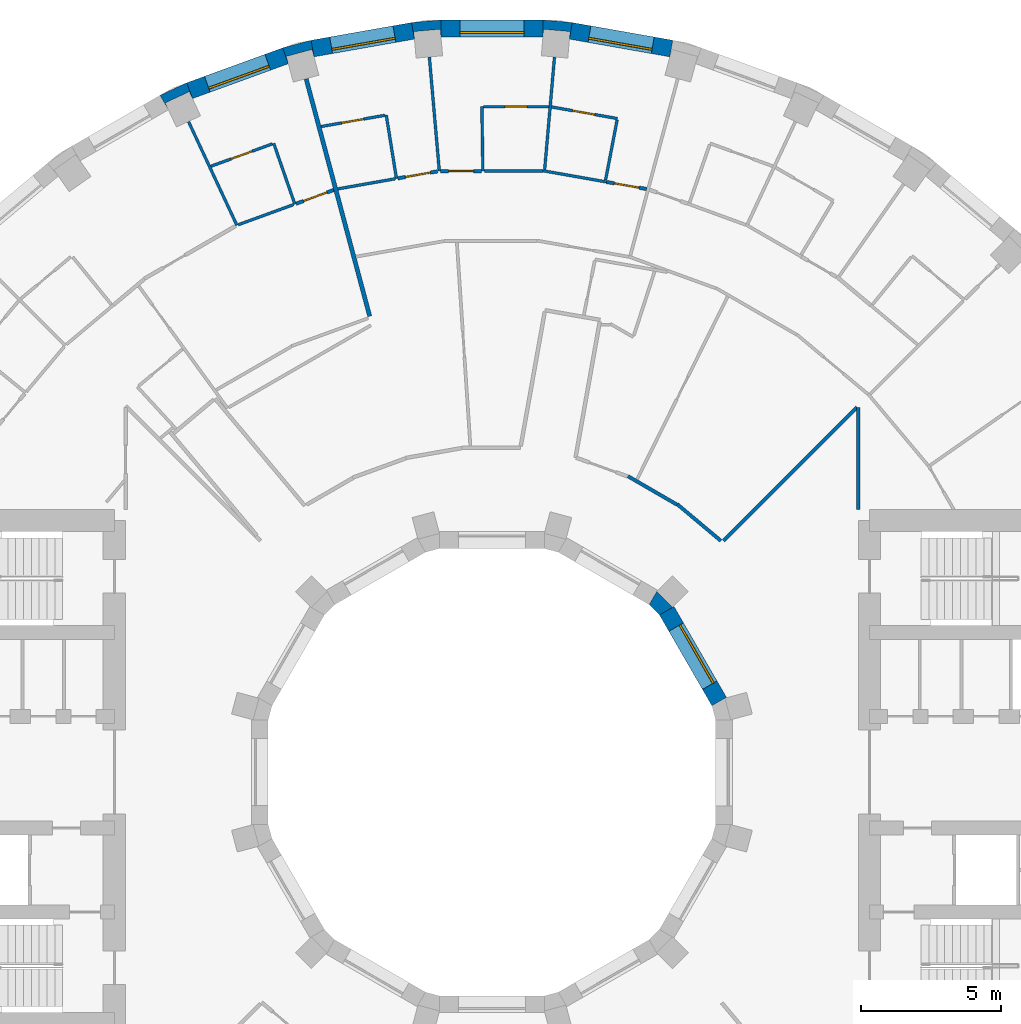
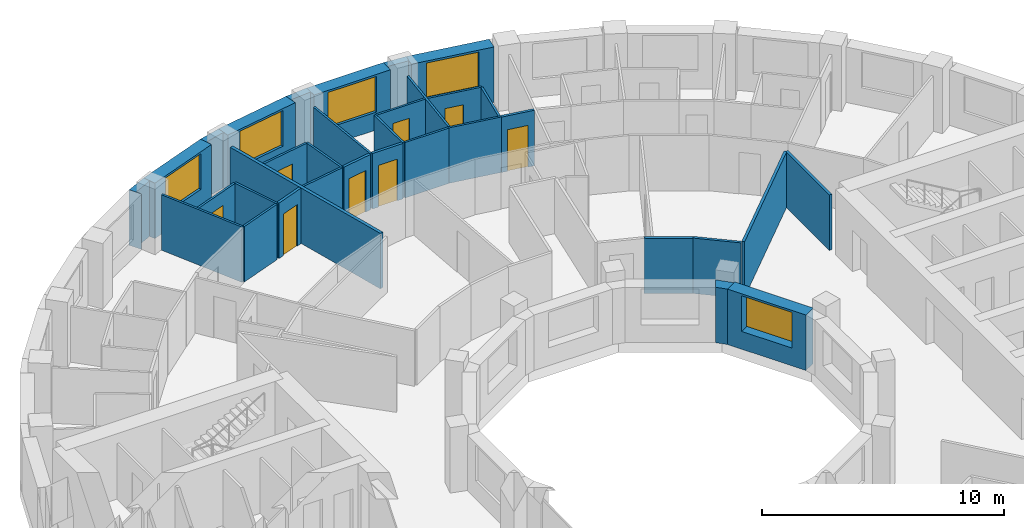
# One storey, part 13 of 16: 34 walls, 8 doors, 5 windows, 13 openings.
"""IFC4 building model written with IfcOpenShell, lengths in metres."""

from ifc_helpers import new_model, si_unit, direction, frame, frame_2d, origin, place, context, subcontext, project, spatial, polyline, rectangle, outline, extrude, material, layer, layer_set, type_object, element, fill, save


model = new_model("IFC4")

# Units and contexts
model_context = context("Model", 3, precision=1e-05, world=origin(), true_north=direction((0.0, 1.0)))
body_context = subcontext(model_context, "Body", "Model", "MODEL_VIEW")
ifc_project = project(units=[si_unit("LENGTHUNIT", "METRE"), si_unit("AREAUNIT", "SQUARE_METRE"), si_unit("VOLUMEUNIT", "CUBIC_METRE"), si_unit("PLANEANGLEUNIT", "RADIAN"), si_unit("MASSUNIT", "GRAM", prefix="KILO")], contexts=[model_context])

# Site, building, storey
site_placement = place(None, origin())
site = spatial("IfcSite", under=ifc_project, at=site_placement, CompositionType="ELEMENT")
building_placement = place(site_placement, origin())
building = spatial("IfcBuilding", under=site, at=building_placement, Name="Saqina Gate Tower", CompositionType="ELEMENT")
storey_placement = place(building_placement, frame((0.0, 0.0, 144.699951171875)))
storey = spatial("IfcBuildingStorey", under=building, at=storey_placement, Name="L41", CompositionType="ELEMENT", Elevation=144.699951171875)

# Walls
ifc_material_1 = material(Name="Brick masonry (buff)", Category="masonry")
wall_type_1 = type_object("IfcWallType", Name="BRICK PIER COPING BUFF", PredefinedType="SOLIDWALL", material=ifc_material_1)
wall_1_placement = place(storey_placement, origin())
element("IfcWall", 1, at=wall_1_placement, inside=storey, type_object=wall_type_1, Name="Pier cap L41 column 9", PredefinedType="SOLIDWALL", context=body_context, shape_type="SweptSolid", body=[
    extrude(outline(polyline([(2.87451171875, 26.805419921875), (1.823974609375, 26.897216796875), (1.823974609375, 26.29736328125), (1.847412109375, 26.565185546875), (2.793701171875, 26.482421875), (2.770263671875, 26.214599609375), (2.87451171875, 26.805419921875)])), origin(), (0.0, 0.0, 1.0), 2.800048828125),
])
wall_2_placement = place(storey_placement, origin())
element("IfcWall", 2, at=wall_2_placement, inside=storey, type_object=wall_type_1, Name="Pier cap L41 column 10", PredefinedType="SOLIDWALL", context=body_context, shape_type="SweptSolid", body=[
    extrude(outline(polyline([(-2.87451171875, 26.805419921875), (-2.770263671875, 26.214599609375), (-2.793701171875, 26.482421875), (-1.847412109375, 26.565185546875), (-1.823974609375, 26.29736328125), (-1.823974609375, 26.897216796875), (-2.87451171875, 26.805419921875)])), origin(), (0.0, 0.0, 1.0), 2.800048828125),
])
wall_3_placement = place(storey_placement, origin())
element("IfcWall", 3, at=wall_3_placement, inside=storey, type_object=wall_type_1, Name="Pier cap L41 column 11", PredefinedType="SOLIDWALL", context=body_context, shape_type="SweptSolid", body=[
    extrude(outline(polyline([(-6.466796875, 26.171875), (-7.485595703125, 25.89892578125), (-7.2802734375, 25.335205078125), (-7.349853515625, 25.5947265625), (-6.43212890625, 25.8408203125), (-6.36279296875, 25.5810546875), (-6.466796875, 26.171875)])), origin(), (0.0, 0.0, 1.0), 2.800048828125),
])
wall_4_placement = place(storey_placement, origin())
element("IfcWall", 4, at=wall_4_placement, inside=storey, type_object=wall_type_1, Name="Pier cap L41 column 12", PredefinedType="SOLIDWALL", context=body_context, shape_type="SweptSolid", body=[
    extrude(outline(polyline([(-10.913330078125, 24.6513671875), (-11.869140625, 24.205810546875), (-11.569091796875, 23.68603515625), (-11.6826171875, 23.9296875), (-10.82177734375, 24.331298828125), (-10.7080078125, 24.08740234375), (-10.913330078125, 24.6513671875)])), origin(), (0.0, 0.0, 1.0), 2.800048828125),
])

# Wall, opening, window
ifc_material_2 = material(Name="Brick masonry (buff)", Category="masonry")
ifc_layer_1 = layer(ifc_material_2, 0.60009765625)
ifc_layer_set_1 = layer_set([ifc_layer_1], Name="FW-BRICK-BUFF")
wall_type_2 = type_object("IfcWallType", Name="FW-BRICK-BUFF", PredefinedType="SOLIDWALL", material=ifc_layer_set_1)
wall_5_placement = place(storey_placement, frame((6.414794921875, 25.87646484375, 0.0), z_axis=(0.0, 0.0, 1.0), x_axis=(-0.984803764455, 0.173670796382, 0.0)))
wall_5 = element("IfcWall", 5, at=wall_5_placement, inside=storey, type_object=wall_type_2, Name="Facade wall L41 facet 8", PredefinedType="SOLIDWALL", context=body_context, shape_type="SweptSolid", body=[
    extrude(rectangle(XDim=3.64794921875, YDim=0.60009765625, at=frame_2d((1.823974609375, 0.0))), origin(), (0.0, 0.0, 1.0), 2.800048828125),
])
opening_1_placement = place(wall_5_placement, frame((0.673828125, 0.0, 0.89990234375)))
opening_1 = element("IfcOpeningElement", 6, at=opening_1_placement, cuts=wall_5, Name="Opening G12-W06", PredefinedType="OPENING", context=body_context, shape_type="SweptSolid", body=[
    extrude(rectangle(XDim=2.300048828125, YDim=1.800048828125, at=frame_2d((1.14990234375, 0.89990234375))), frame((0.0, 0.31201171875, 0.0), z_axis=(0.0, -1.0, 0.0), x_axis=(1.0, 0.0, 0.0)), (0.0, 0.0, 1.0), 0.6240234375),
])
ifc_material_3 = material(Name="Aluminium glazing", Category="aluminium")
window_type_1 = type_object("IfcWindowType", Name="WN-B", PartitioningType="SINGLE_PANEL", PredefinedType="WINDOW", material=ifc_material_3)
window_1_placement = place(opening_1_placement, origin())
window_1 = element("IfcWindow", 7, at=window_1_placement, inside=storey, type_object=window_type_1, Name="Window L41 facet 8", OverallHeight=1.800048828125, OverallWidth=2.300048828125, PartitioningType="SINGLE_PANEL", PredefinedType="WINDOW", context=body_context, shape_type="SweptSolid", body=[
    extrude(rectangle(XDim=2.300048828125, YDim=1.800048828125, at=frame_2d((1.14990234375, 0.89990234375))), frame((0.0, 0.179931640625, 0.0), z_axis=(0.0, -1.0, 0.0), x_axis=(1.0, 0.0, 0.0)), (0.0, 0.0, 1.0), 0.06005859375),
])
fill(opening_1, window_1)

wall_6_placement = place(storey_placement, frame((1.823974609375, 26.59716796875, 0.0), z_axis=(0.0, 0.0, 1.0), x_axis=(-1.0, 0.0, 0.0)))
wall_6 = element("IfcWall", 8, at=wall_6_placement, inside=storey, type_object=wall_type_2, Name="Facade wall L41 facet 9", PredefinedType="SOLIDWALL", context=body_context, shape_type="SweptSolid", body=[
    extrude(rectangle(XDim=3.64794921875, YDim=0.60009765625, at=frame_2d((1.823974609375, 0.0))), origin(), (0.0, 0.0, 1.0), 2.800048828125),
])
opening_2_placement = place(wall_6_placement, frame((0.673828125, 0.0, 0.89990234375)))
opening_2 = element("IfcOpeningElement", 9, at=opening_2_placement, cuts=wall_6, Name="Opening G12-W07", PredefinedType="OPENING", context=body_context, shape_type="SweptSolid", body=[
    extrude(rectangle(XDim=2.300048828125, YDim=1.800048828125, at=frame_2d((1.14990234375, 0.89990234375))), frame((0.0, 0.31201171875, 0.0), z_axis=(0.0, -1.0, 0.0), x_axis=(1.0, 0.0, 0.0)), (0.0, 0.0, 1.0), 0.6240234375),
])
window_2_placement = place(opening_2_placement, origin())
window_2 = element("IfcWindow", 10, at=window_2_placement, inside=storey, type_object=window_type_1, Name="Window L41 facet 9", OverallHeight=1.800048828125, OverallWidth=2.300048828125, PartitioningType="SINGLE_PANEL", PredefinedType="WINDOW", context=body_context, shape_type="SweptSolid", body=[
    extrude(rectangle(XDim=2.300048828125, YDim=1.800048828125, at=frame_2d((1.14990234375, 0.89990234375))), frame((0.0, 0.179931640625, 0.0), z_axis=(0.0, -1.0, 0.0), x_axis=(1.0, 0.0, 0.0)), (0.0, 0.0, 1.0), 0.06005859375),
])
fill(opening_2, window_2)

wall_7_placement = place(storey_placement, frame((-2.822265625, 26.510009765625, 0.0), z_axis=(0.0, 0.0, 1.0), x_axis=(-0.984803764455, -0.173670796382, 0.0)))
wall_7 = element("IfcWall", 11, at=wall_7_placement, inside=storey, type_object=wall_type_2, Name="Facade wall L41 facet 10", PredefinedType="SOLIDWALL", context=body_context, shape_type="SweptSolid", body=[
    extrude(rectangle(XDim=3.64794921875, YDim=0.60009765625, at=frame_2d((1.823974609375, 0.0))), origin(), (0.0, 0.0, 1.0), 2.800048828125),
])
opening_3_placement = place(wall_7_placement, frame((0.673828125, 0.0, 0.89990234375)))
opening_3 = element("IfcOpeningElement", 12, at=opening_3_placement, cuts=wall_7, Name="Opening G12-W08", PredefinedType="OPENING", context=body_context, shape_type="SweptSolid", body=[
    extrude(rectangle(XDim=2.300048828125, YDim=1.800048828125, at=frame_2d((1.14990234375, 0.89990234375))), frame((0.0, 0.31201171875, 0.0), z_axis=(0.0, -1.0, 0.0), x_axis=(1.0, 0.0, 0.0)), (0.0, 0.0, 1.0), 0.6240234375),
])
window_3_placement = place(opening_3_placement, origin())
window_3 = element("IfcWindow", 13, at=window_3_placement, inside=storey, type_object=window_type_1, Name="Window L41 facet 10", OverallHeight=1.800048828125, OverallWidth=2.300048828125, PartitioningType="SINGLE_PANEL", PredefinedType="WINDOW", context=body_context, shape_type="SweptSolid", body=[
    extrude(rectangle(XDim=2.300048828125, YDim=1.800048828125, at=frame_2d((1.14990234375, 0.89990234375))), frame((0.0, 0.179931640625, 0.0), z_axis=(0.0, -1.0, 0.0), x_axis=(1.0, 0.0, 0.0)), (0.0, 0.0, 1.0), 0.06005859375),
])
fill(opening_3, window_3)

wall_8_placement = place(storey_placement, frame((-7.3828125, 25.616943359375, 0.0), z_axis=(0.0, 0.0, 1.0), x_axis=(-0.939703505393, -0.341990236633, 0.0)))
wall_8 = element("IfcWall", 14, at=wall_8_placement, inside=storey, type_object=wall_type_2, Name="Facade wall L41 facet 11", PredefinedType="SOLIDWALL", context=body_context, shape_type="SweptSolid", body=[
    extrude(rectangle(XDim=3.64794921875, YDim=0.60009765625, at=frame_2d((1.823974609375, 0.0))), origin(), (0.0, 0.0, 1.0), 2.800048828125),
])
opening_4_placement = place(wall_8_placement, frame((0.673828125, 0.0, 0.89990234375)))
opening_4 = element("IfcOpeningElement", 15, at=opening_4_placement, cuts=wall_8, Name="Opening G12-W09", PredefinedType="OPENING", context=body_context, shape_type="SweptSolid", body=[
    extrude(rectangle(XDim=2.300048828125, YDim=1.800048828125, at=frame_2d((1.14990234375, 0.89990234375))), frame((0.0, 0.31201171875, 0.0), z_axis=(0.0, -1.0, 0.0), x_axis=(1.0, 0.0, 0.0)), (0.0, 0.0, 1.0), 0.6240234375),
])
window_4_placement = place(opening_4_placement, origin())
window_4 = element("IfcWindow", 16, at=window_4_placement, inside=storey, type_object=window_type_1, Name="Window L41 facet 11", OverallHeight=1.800048828125, OverallWidth=2.300048828125, PartitioningType="SINGLE_PANEL", PredefinedType="WINDOW", context=body_context, shape_type="SweptSolid", body=[
    extrude(rectangle(XDim=2.300048828125, YDim=1.800048828125, at=frame_2d((1.14990234375, 0.89990234375))), frame((0.0, 0.179931640625, 0.0), z_axis=(0.0, -1.0, 0.0), x_axis=(1.0, 0.0, 0.0)), (0.0, 0.0, 1.0), 0.06005859375),
])
fill(opening_4, window_4)

ifc_material_4 = material(Name="Glazed ceramic tile", Category="ceramic")
ifc_layer_2 = layer(ifc_material_4, 0.60009765625)
ifc_layer_set_2 = layer_set([ifc_layer_2], Name="IW-TILE")
wall_type_3 = type_object("IfcWallType", Name="IW-TILE", PredefinedType="SOLIDWALL", material=ifc_layer_set_2)
wall_9_placement = place(storey_placement, frame((8.124755859375, 2.52734375, 0.0), z_axis=(0.0, 0.0, 1.0), x_axis=(-0.499964958637, 0.86604563398, 0.0)))
wall_9 = element("IfcWall", 17, at=wall_9_placement, inside=storey, type_object=wall_type_3, Name="Well wall L41 facet 1", PredefinedType="SOLIDWALL", context=body_context, shape_type="SweptSolid", body=[
    extrude(rectangle(XDim=3.747314453125, YDim=0.60009765625, at=frame_2d((1.87353515625, 0.0))), origin(), (0.0, 0.0, 1.0), 2.800048828125),
])
opening_5_placement = place(wall_9_placement, frame((0.673583984375, 0.0, 0.89990234375)))
opening_5 = element("IfcOpeningElement", 18, at=opening_5_placement, cuts=wall_9, Name="Opening G12-W23", PredefinedType="OPENING", context=body_context, shape_type="SweptSolid", body=[
    extrude(rectangle(XDim=2.39990234375, YDim=1.800048828125, at=frame_2d((1.199951171875, 0.89990234375))), frame((0.0, 0.31201171875, 0.0), z_axis=(0.0, -1.0, 0.0), x_axis=(1.0, 0.0, 0.0)), (0.0, 0.0, 1.0), 0.6240234375),
])
ifc_material_5 = material(Name="Aluminium glazing", Category="aluminium")
window_type_2 = type_object("IfcWindowType", Name="WN-W", PartitioningType="SINGLE_PANEL", PredefinedType="WINDOW", material=ifc_material_5)
window_5_placement = place(opening_5_placement, origin())
window_5 = element("IfcWindow", 19, at=window_5_placement, inside=storey, type_object=window_type_2, Name="Well window L41 facet 1", OverallHeight=1.800048828125, OverallWidth=2.39990234375, PartitioningType="SINGLE_PANEL", PredefinedType="WINDOW", context=body_context, shape_type="SweptSolid", body=[
    extrude(rectangle(XDim=2.39990234375, YDim=1.800048828125, at=frame_2d((1.199951171875, 0.89990234375))), frame((0.0, -0.119873046875, 0.0), z_axis=(0.0, -1.0, 0.0), x_axis=(1.0, 0.0, 0.0)), (0.0, 0.0, 1.0), 0.06005859375),
])
fill(opening_5, window_5)

# Walls
ifc_material_6 = material(Name="Gypsum board on steel studs, 100 mm", Category="steel")
ifc_layer_3 = layer(ifc_material_6, 0.10009765625)
ifc_layer_set_3 = layer_set([ifc_layer_3], Name="PARTITION 100")
wall_type_4 = type_object("IfcWallType", Name="PARTITION 100", PredefinedType="PARTITIONING", material=ifc_layer_set_3)
wall_10_placement = place(storey_placement, frame((-0.35888671875, 23.797119140625, 0.0), z_axis=(0.0, 0.0, 1.0), x_axis=(0.015177107463, -0.999884821071, 0.0)))
element("IfcWall", 20, at=wall_10_placement, inside=storey, type_object=wall_type_4, Name="PARTITION PW3-01", PredefinedType="PARTITIONING", context=body_context, shape_type="SweptSolid", body=[
    extrude(rectangle(XDim=2.30029296875, YDim=0.10009765625, at=frame_2d((1.150146484375, 0.0))), origin(), (0.0, 0.0, 1.0), 2.800048828125),
])
wall_11_placement = place(storey_placement, frame((-2.237060546875, 25.5673828125, 0.0), z_axis=(0.0, 0.0, 1.0), x_axis=(0.087119511186, -0.996197867279, 0.0)))
element("IfcWall", 21, at=wall_11_placement, inside=storey, type_object=wall_type_4, Name="PARTITION PW3-03", PredefinedType="PARTITIONING", context=body_context, shape_type="SweptSolid", body=[
    extrude(rectangle(XDim=4.0859375, YDim=0.10009765625, at=frame_2d((2.04296875, 0.0))), origin(), (0.0, 0.0, 1.0), 2.800048828125),
])
for number, where, z_axis, x_axis, name in (
    (22, (-3.779052734375, 23.498046875, 0.0), (0.0, 0.0, 1.0), (0.15868179071, -0.987329777378, 0.0), "PARTITION PW3-04"),
    (23, (-7.802001953125, 22.485107421875, 0.0), (0.0, 0.0, 1.0), (0.327763034971, -0.944759965762, 0.0), "PARTITION PW3-05"),
):
    element("IfcWall", number, at=place(storey_placement, frame(where, z_axis=z_axis, x_axis=x_axis)), inside=storey, type_object=wall_type_4, Name=name, PredefinedType="PARTITIONING", context=body_context, shape_type="SweptSolid", body=[
        extrude(rectangle(XDim=2.300048828125, YDim=0.10009765625, at=frame_2d((1.14990234375, 0.0))), origin(), (0.0, 0.0, 1.0), 2.800048828125),
    ])
wall_12_placement = place(storey_placement, frame((-10.84716796875, 23.260009765625, 0.0), z_axis=(0.0, 0.0, 1.0), x_axis=(0.422784035137, -0.906230467173, 0.0)))
element("IfcWall", 24, at=wall_12_placement, inside=storey, type_object=wall_type_4, Name="PARTITION PW3-08", PredefinedType="PARTITIONING", context=body_context, shape_type="SweptSolid", body=[
    extrude(rectangle(XDim=4.0849609375, YDim=0.10009765625, at=frame_2d((2.04248046875, 0.0))), origin(), (0.0, 0.0, 1.0), 2.800048828125),
])
wall_13_placement = place(storey_placement, frame((1.8310546875, 21.505859375, 0.0), z_axis=(0.0, 0.0, 1.0), x_axis=(0.984783558818, -0.173785333909, 0.0)))
element("IfcWall", 25, at=wall_13_placement, inside=storey, type_object=wall_type_4, Name="PARTITION PW3-58", PredefinedType="PARTITIONING", context=body_context, shape_type="SweptSolid", body=[
    extrude(rectangle(XDim=2.305419921875, YDim=0.10009765625, at=frame_2d((1.15283203125, 0.0))), origin(), (0.0, 0.0, 1.0), 2.800048828125),
])

# Wall, opening, door
wall_14_placement = place(storey_placement, frame((2.13134765625, 23.788330078125, 0.0), z_axis=(0.0, 0.0, 1.0), x_axis=(0.984802055472, -0.173680486922, 0.0)))
wall_14 = element("IfcWall", 26, at=wall_14_placement, inside=storey, type_object=wall_type_4, Name="PARTITION PW3-59", PredefinedType="PARTITIONING", context=body_context, shape_type="SweptSolid", body=[
    extrude(rectangle(XDim=2.39111328125, YDim=0.10009765625, at=frame_2d((1.195556640625, 0.0))), origin(), (0.0, 0.0, 1.0), 2.800048828125),
])
opening_6_placement = place(wall_14_placement, frame((0.7705078125, 0.0, 0.0)))
opening_6 = element("IfcOpeningElement", 27, at=opening_6_placement, cuts=wall_14, Name="Opening G12-D15", PredefinedType="OPENING", context=body_context, shape_type="SweptSolid", body=[
    extrude(rectangle(XDim=0.800048828125, YDim=2.10009765625, at=frame_2d((0.39990234375, 1.050048828125))), frame((0.0, 0.06201171875, 0.0), z_axis=(0.0, -1.0, 0.0), x_axis=(1.0, 0.0, 0.0)), (0.0, 0.0, 1.0), 0.1240234375),
])
ifc_material_7 = material(Name="Timber door leaf, 800 mm", Category="wood")
door_type_1 = type_object("IfcDoorType", Name="DOOR 800 TIMBER", OperationType="SINGLE_SWING_LEFT", PredefinedType="DOOR", material=ifc_material_7)
door_1_placement = place(opening_6_placement, origin())
door_1 = element("IfcDoor", 28, at=door_1_placement, inside=storey, type_object=door_type_1, Name="DOOR G12-D15", OperationType="SINGLE_SWING_LEFT", OverallHeight=2.10009765625, OverallWidth=0.800048828125, PredefinedType="DOOR", context=body_context, shape_type="SweptSolid", body=[
    extrude(rectangle(XDim=0.800048828125, YDim=2.10009765625, at=frame_2d((0.39990234375, 1.050048828125))), frame((0.0, 0.02490234375, 0.0), z_axis=(0.0, -1.0, 0.0), x_axis=(1.0, 0.0, 0.0)), (0.0, 0.0, 1.0), 0.050048828125),
])
fill(opening_6, door_1)

# Wall
wall_15_placement = place(storey_placement, frame((-0.27392578125, 21.4970703125, 0.0), z_axis=(0.0, 0.0, 1.0), x_axis=(1.0, 0.0, 0.0)))
element("IfcWall", 29, at=wall_15_placement, inside=storey, type_object=wall_type_4, Name="PARTITION PW3-62", PredefinedType="PARTITIONING", context=body_context, shape_type="SweptSolid", body=[
    extrude(rectangle(XDim=2.10498046875, YDim=0.10009765625, at=frame_2d((1.052490234375, 0.0))), origin(), (0.0, 0.0, 1.0), 2.800048828125),
])

# Wall, opening, door
wall_16_placement = place(storey_placement, frame((-0.30908203125, 23.797119140625, 0.0), z_axis=(0.0, 0.0, 1.0), x_axis=(1.0, 0.0, 0.0)))
wall_16 = element("IfcWall", 30, at=wall_16_placement, inside=storey, type_object=wall_type_4, Name="PARTITION PW3-63", PredefinedType="PARTITIONING", context=body_context, shape_type="SweptSolid", body=[
    extrude(rectangle(XDim=2.341064453125, YDim=0.10009765625, at=frame_2d((1.17041015625, 0.0))), origin(), (0.0, 0.0, 1.0), 2.800048828125),
])
opening_7_placement = place(wall_16_placement, frame((0.7705078125, 0.0, 0.0)))
opening_7 = element("IfcOpeningElement", 31, at=opening_7_placement, cuts=wall_16, Name="Opening G12-D16", PredefinedType="OPENING", context=body_context, shape_type="SweptSolid", body=[
    extrude(rectangle(XDim=0.800048828125, YDim=2.10009765625, at=frame_2d((0.39990234375, 1.050048828125))), frame((0.0, 0.06201171875, 0.0), z_axis=(0.0, -1.0, 0.0), x_axis=(1.0, 0.0, 0.0)), (0.0, 0.0, 1.0), 0.1240234375),
])
door_2_placement = place(opening_7_placement, origin())
door_2 = element("IfcDoor", 32, at=door_2_placement, inside=storey, type_object=door_type_1, Name="DOOR G12-D16", OperationType="SINGLE_SWING_LEFT", OverallHeight=2.10009765625, OverallWidth=0.800048828125, PredefinedType="DOOR", context=body_context, shape_type="SweptSolid", body=[
    extrude(rectangle(XDim=0.800048828125, YDim=2.10009765625, at=frame_2d((0.39990234375, 1.050048828125))), frame((0.0, 0.02490234375, 0.0), z_axis=(0.0, -1.0, 0.0), x_axis=(1.0, 0.0, 0.0)), (0.0, 0.0, 1.0), 0.050048828125),
])
fill(opening_7, door_2)

# Wall
wall_17_placement = place(storey_placement, frame((-5.51123046875, 20.85693359375, 0.0), z_axis=(0.0, 0.0, 1.0), x_axis=(0.984775352835, 0.173831828066, 0.0)))
element("IfcWall", 33, at=wall_17_placement, inside=storey, type_object=wall_type_4, Name="PARTITION PW3-65", PredefinedType="PARTITIONING", context=body_context, shape_type="SweptSolid", body=[
    extrude(rectangle(XDim=2.096923828125, YDim=0.10009765625, at=frame_2d((1.04833984375, 0.0))), origin(), (0.0, 0.0, 1.0), 2.800048828125),
])

# Wall, opening, door
wall_18_placement = place(storey_placement, frame((-6.109130859375, 23.0869140625, 0.0), z_axis=(0.0, 0.0, 1.0), x_axis=(0.984797350308, 0.173707164006, 0.0)))
wall_18 = element("IfcWall", 34, at=wall_18_placement, inside=storey, type_object=wall_type_4, Name="PARTITION PW3-66", PredefinedType="PARTITIONING", context=body_context, shape_type="SweptSolid", body=[
    extrude(rectangle(XDim=2.316162109375, YDim=0.10009765625, at=frame_2d((1.158203125, 0.0))), origin(), (0.0, 0.0, 1.0), 2.800048828125),
])
opening_8_placement = place(wall_18_placement, frame((0.74560546875, 0.0, 0.0)))
opening_8 = element("IfcOpeningElement", 35, at=opening_8_placement, cuts=wall_18, Name="Opening G12-D20", PredefinedType="OPENING", context=body_context, shape_type="SweptSolid", body=[
    extrude(rectangle(XDim=0.800048828125, YDim=2.10009765625, at=frame_2d((0.39990234375, 1.050048828125))), frame((0.0, 0.06201171875, 0.0), z_axis=(0.0, -1.0, 0.0), x_axis=(1.0, 0.0, 0.0)), (0.0, 0.0, 1.0), 0.1240234375),
])
door_3_placement = place(opening_8_placement, origin())
door_3 = element("IfcDoor", 36, at=door_3_placement, inside=storey, type_object=door_type_1, Name="DOOR G12-D20", OperationType="SINGLE_SWING_LEFT", OverallHeight=2.10009765625, OverallWidth=0.800048828125, PredefinedType="DOOR", context=body_context, shape_type="SweptSolid", body=[
    extrude(rectangle(XDim=0.800048828125, YDim=2.10009765625, at=frame_2d((0.39990234375, 1.050048828125))), frame((0.0, 0.02490234375, 0.0), z_axis=(0.0, -1.0, 0.0), x_axis=(1.0, 0.0, 0.0)), (0.0, 0.0, 1.0), 0.050048828125),
])
fill(opening_8, door_3)

# Wall
wall_19_placement = place(storey_placement, frame((-9.072998046875, 19.5751953125, 0.0), z_axis=(0.0, 0.0, 1.0), x_axis=(0.939725675468, 0.341929312674, 0.0)))
element("IfcWall", 37, at=wall_19_placement, inside=storey, type_object=wall_type_4, Name="PARTITION PW3-70", PredefinedType="PARTITIONING", context=body_context, shape_type="SweptSolid", body=[
    extrude(rectangle(XDim=2.10498046875, YDim=0.10009765625, at=frame_2d((1.052490234375, 0.0))), origin(), (0.0, 0.0, 1.0), 2.800048828125),
])

# Wall, opening, door
wall_20_placement = place(storey_placement, frame((-10.049072265625, 21.6669921875, 0.0), z_axis=(0.0, 0.0, 1.0), x_axis=(0.939662448837, 0.342103028699, 0.0)))
wall_20 = element("IfcWall", 38, at=wall_20_placement, inside=storey, type_object=wall_type_4, Name="PARTITION PW3-71", PredefinedType="PARTITIONING", context=body_context, shape_type="SweptSolid", body=[
    extrude(rectangle(XDim=2.341552734375, YDim=0.10009765625, at=frame_2d((1.1708984375, 0.0))), origin(), (0.0, 0.0, 1.0), 2.800048828125),
])
opening_9_placement = place(wall_20_placement, frame((0.7705078125, 0.0, 0.0)))
opening_9 = element("IfcOpeningElement", 39, at=opening_9_placement, cuts=wall_20, Name="Opening G12-D22", PredefinedType="OPENING", context=body_context, shape_type="SweptSolid", body=[
    extrude(rectangle(XDim=0.800048828125, YDim=2.10009765625, at=frame_2d((0.39990234375, 1.050048828125))), frame((0.0, 0.06201171875, 0.0), z_axis=(0.0, -1.0, 0.0), x_axis=(1.0, 0.0, 0.0)), (0.0, 0.0, 1.0), 0.1240234375),
])
door_4_placement = place(opening_9_placement, origin())
door_4 = element("IfcDoor", 40, at=door_4_placement, inside=storey, type_object=door_type_1, Name="DOOR G12-D22", OperationType="SINGLE_SWING_LEFT", OverallHeight=2.10009765625, OverallWidth=0.800048828125, PredefinedType="DOOR", context=body_context, shape_type="SweptSolid", body=[
    extrude(rectangle(XDim=0.800048828125, YDim=2.10009765625, at=frame_2d((0.39990234375, 1.050048828125))), frame((0.0, 0.02490234375, 0.0), z_axis=(0.0, -1.0, 0.0), x_axis=(1.0, 0.0, 0.0)), (0.0, 0.0, 1.0), 0.050048828125),
])
fill(opening_9, door_4)

# Walls
wall_21_placement = place(storey_placement, frame((4.063720703125, 21.17529296875, 0.0), z_axis=(0.0, 0.0, 1.0), x_axis=(0.188685986474, 0.982037473067, 0.0)))
element("IfcWall", 41, at=wall_21_placement, inside=storey, type_object=wall_type_4, Name="PARTITION PW3-116", PredefinedType="PARTITIONING", context=body_context, shape_type="SweptSolid", body=[
    extrude(rectangle(XDim=2.18798828125, YDim=0.10009765625, at=frame_2d((1.093994140625, 0.0))), origin(), (0.0, 0.0, 1.0), 2.800048828125),
])
wall_22_placement = place(storey_placement, frame((1.88525390625, 21.546875, 0.0), z_axis=(0.0, 0.0, 1.0), x_axis=(0.087109918438, 0.996198706137, 0.0)))
element("IfcWall", 42, at=wall_22_placement, inside=storey, type_object=wall_type_4, Name="PARTITION PW3-117", PredefinedType="PARTITIONING", context=body_context, shape_type="SweptSolid", body=[
    extrude(rectangle(XDim=4.035888671875, YDim=0.10009765625, at=frame_2d((2.01806640625, 0.0))), origin(), (0.0, 0.0, 1.0), 2.800048828125),
])
ifc_material_8 = material(Name="Gypsum board on steel studs, 125 mm, fire rated", Category="steel")
ifc_layer_4 = layer(ifc_material_8, 0.125)
ifc_layer_set_4 = layer_set([ifc_layer_4], Name="PARTITION EI 30 125")
wall_type_5 = type_object("IfcWallType", Name="PARTITION EI 30 125", PredefinedType="PARTITIONING", material=ifc_layer_set_4)
wall_23_placement = place(storey_placement, frame((6.63037109375, 9.578857421875, 0.0), z_axis=(0.0, 0.0, 1.0), x_axis=(0.766246910896, -0.642546240781, 0.0)))
element("IfcWall", 43, at=wall_23_placement, inside=storey, type_object=wall_type_5, Name="PARTITION PW1-13", PredefinedType="PARTITIONING", context=body_context, shape_type="SweptSolid", body=[
    extrude(rectangle(XDim=2.03076171875, YDim=0.125, at=frame_2d((1.015380859375, 0.0))), origin(), (0.0, 0.0, 1.0), 2.800048828125),
])
wall_24_placement = place(storey_placement, frame((4.865234375, 10.582763671875, 0.0), z_axis=(0.0, 0.0, 1.0), x_axis=(0.865305530051, -0.50124479016, 0.0)))
element("IfcWall", 44, at=wall_24_placement, inside=storey, type_object=wall_type_5, Name="PARTITION PW1-16", PredefinedType="PARTITIONING", context=body_context, shape_type="SweptSolid", body=[
    extrude(rectangle(XDim=2.030517578125, YDim=0.125, at=frame_2d((1.01513671875, 0.0))), origin(), (0.0, 0.0, 1.0), 2.800048828125),
])

# Wall, opening, door
wall_25_placement = place(storey_placement, frame((4.101318359375, 21.105224609375, 0.0), z_axis=(0.0, 0.0, 1.0), x_axis=(0.984862774054, -0.173335848233, 0.0)))
wall_25 = element("IfcWall", 45, at=wall_25_placement, inside=storey, type_object=wall_type_5, Name="PARTITION PW1-27", PredefinedType="PARTITIONING", context=body_context, shape_type="SweptSolid", body=[
    extrude(rectangle(XDim=1.456298828125, YDim=0.125, at=frame_2d((0.72802734375, 0.0))), origin(), (0.0, 0.0, 1.0), 2.800048828125),
])
opening_10_placement = place(wall_25_placement, frame((0.2783203125, 0.0, 0.0)))
opening_10 = element("IfcOpeningElement", 46, at=opening_10_placement, cuts=wall_25, Name="Opening G12-D12", PredefinedType="OPENING", context=body_context, shape_type="SweptSolid", body=[
    extrude(rectangle(XDim=0.89990234375, YDim=2.10009765625, at=frame_2d((0.449951171875, 1.050048828125))), frame((0.0, 0.074462890625, 0.0), z_axis=(0.0, -1.0, 0.0), x_axis=(1.0, 0.0, 0.0)), (0.0, 0.0, 1.0), 0.14892578125),
])
ifc_material_9 = material(Name="Fire door leaf EI 30, 900 mm")
door_type_2 = type_object("IfcDoorType", Name="DOOR 900 EI 30", OperationType="SINGLE_SWING_LEFT", PredefinedType="DOOR", material=ifc_material_9)
door_5_placement = place(opening_10_placement, frame((0.89990234375, 0.0, 0.0), z_axis=(0.0, 0.0, 1.0), x_axis=(-1.0, 0.0, 0.0)))
door_5 = element("IfcDoor", 47, at=door_5_placement, inside=storey, type_object=door_type_2, Name="DOOR G12-D12", OperationType="SINGLE_SWING_LEFT", OverallHeight=2.10009765625, OverallWidth=0.89990234375, PredefinedType="DOOR", context=body_context, shape_type="SweptSolid", body=[
    extrude(rectangle(XDim=0.89990234375, YDim=2.10009765625, at=frame_2d((0.449951171875, 1.050048828125))), frame((0.0, 0.02490234375, 0.0), z_axis=(0.0, -1.0, 0.0), x_axis=(1.0, 0.0, 0.0)), (0.0, 0.0, 1.0), 0.050048828125),
])
fill(opening_10, door_5)

wall_26_placement = place(storey_placement, frame((-1.8310546875, 21.4970703125, 0.0), z_axis=(0.0, 0.0, 1.0), x_axis=(1.0, 0.0, 0.0)))
wall_26 = element("IfcWall", 48, at=wall_26_placement, inside=storey, type_object=wall_type_5, Name="PARTITION PW1-30", PredefinedType="PARTITIONING", context=body_context, shape_type="SweptSolid", body=[
    extrude(rectangle(XDim=1.45703125, YDim=0.125, at=frame_2d((0.728515625, 0.0))), origin(), (0.0, 0.0, 1.0), 2.800048828125),
])
opening_11_placement = place(wall_26_placement, frame((0.278564453125, 0.0, 0.0)))
opening_11 = element("IfcOpeningElement", 49, at=opening_11_placement, cuts=wall_26, Name="Opening G12-D17", PredefinedType="OPENING", context=body_context, shape_type="SweptSolid", body=[
    extrude(rectangle(XDim=0.89990234375, YDim=2.10009765625, at=frame_2d((0.449951171875, 1.050048828125))), frame((0.0, 0.074462890625, 0.0), z_axis=(0.0, -1.0, 0.0), x_axis=(1.0, 0.0, 0.0)), (0.0, 0.0, 1.0), 0.14892578125),
])
door_6_placement = place(opening_11_placement, frame((0.89990234375, 0.0, 0.0), z_axis=(0.0, 0.0, 1.0), x_axis=(-1.0, 0.0, 0.0)))
door_6 = element("IfcDoor", 50, at=door_6_placement, inside=storey, type_object=door_type_2, Name="DOOR G12-D17", OperationType="SINGLE_SWING_RIGHT", OverallHeight=2.10009765625, OverallWidth=0.89990234375, PredefinedType="DOOR", context=body_context, shape_type="SweptSolid", body=[
    extrude(rectangle(XDim=0.89990234375, YDim=2.10009765625, at=frame_2d((0.449951171875, 1.050048828125))), frame((0.0, 0.02490234375, 0.0), z_axis=(0.0, -1.0, 0.0), x_axis=(1.0, 0.0, 0.0)), (0.0, 0.0, 1.0), 0.050048828125),
])
fill(opening_11, door_6)

wall_27_placement = place(storey_placement, frame((-3.36474609375, 21.235595703125, 0.0), z_axis=(0.0, 0.0, 1.0), x_axis=(0.984839675328, 0.173467039809, 0.0)))
wall_27 = element("IfcWall", 51, at=wall_27_placement, inside=storey, type_object=wall_type_5, Name="PARTITION PW1-33", PredefinedType="PARTITIONING", context=body_context, shape_type="SweptSolid", body=[
    extrude(rectangle(XDim=1.444091796875, YDim=0.125, at=frame_2d((0.72216796875, 0.0))), origin(), (0.0, 0.0, 1.0), 2.800048828125),
])
opening_12_placement = place(wall_27_placement, frame((0.2783203125, 0.0, 0.0)))
opening_12 = element("IfcOpeningElement", 52, at=opening_12_placement, cuts=wall_27, Name="Opening G12-D19", PredefinedType="OPENING", context=body_context, shape_type="SweptSolid", body=[
    extrude(rectangle(XDim=0.89990234375, YDim=2.10009765625, at=frame_2d((0.449951171875, 1.050048828125))), frame((0.0, 0.074462890625, 0.0), z_axis=(0.0, -1.0, 0.0), x_axis=(1.0, 0.0, 0.0)), (0.0, 0.0, 1.0), 0.14892578125),
])
door_7_placement = place(opening_12_placement, frame((0.89990234375, 0.0, 0.0), z_axis=(0.0, 0.0, 1.0), x_axis=(-1.0, 0.0, 0.0)))
door_7 = element("IfcDoor", 53, at=door_7_placement, inside=storey, type_object=door_type_2, Name="DOOR G12-D19", OperationType="SINGLE_SWING_LEFT", OverallHeight=2.10009765625, OverallWidth=0.89990234375, PredefinedType="DOOR", context=body_context, shape_type="SweptSolid", body=[
    extrude(rectangle(XDim=0.89990234375, YDim=2.10009765625, at=frame_2d((0.449951171875, 1.050048828125))), frame((0.0, 0.02490234375, 0.0), z_axis=(0.0, -1.0, 0.0), x_axis=(1.0, 0.0, 0.0)), (0.0, 0.0, 1.0), 0.050048828125),
])
fill(opening_12, door_7)

wall_28_placement = place(storey_placement, frame((-7.0009765625, 20.3291015625, 0.0), z_axis=(0.0, 0.0, 1.0), x_axis=(0.939788441711, 0.341756762663, 0.0)))
wall_28 = element("IfcWall", 54, at=wall_28_placement, inside=storey, type_object=wall_type_5, Name="PARTITION PW1-37", PredefinedType="PARTITIONING", context=body_context, shape_type="SweptSolid", body=[
    extrude(rectangle(XDim=1.430908203125, YDim=0.125, at=frame_2d((0.71533203125, 0.0))), origin(), (0.0, 0.0, 1.0), 2.800048828125),
])
opening_13_placement = place(wall_28_placement, frame((0.27783203125, 0.0, 0.0)))
opening_13 = element("IfcOpeningElement", 55, at=opening_13_placement, cuts=wall_28, Name="Opening G12-D21", PredefinedType="OPENING", context=body_context, shape_type="SweptSolid", body=[
    extrude(rectangle(XDim=0.89990234375, YDim=2.10009765625, at=frame_2d((0.449951171875, 1.050048828125))), frame((0.0, 0.074462890625, 0.0), z_axis=(0.0, -1.0, 0.0), x_axis=(1.0, 0.0, 0.0)), (0.0, 0.0, 1.0), 0.14892578125),
])
door_8_placement = place(opening_13_placement, frame((0.89990234375, 0.0, 0.0), z_axis=(0.0, 0.0, 1.0), x_axis=(-1.0, 0.0, 0.0)))
door_8 = element("IfcDoor", 56, at=door_8_placement, inside=storey, type_object=door_type_2, Name="DOOR G12-D21", OperationType="SINGLE_SWING_LEFT", OverallHeight=2.10009765625, OverallWidth=0.89990234375, PredefinedType="DOOR", context=body_context, shape_type="SweptSolid", body=[
    extrude(rectangle(XDim=0.89990234375, YDim=2.10009765625, at=frame_2d((0.449951171875, 1.050048828125))), frame((0.0, 0.02490234375, 0.0), z_axis=(0.0, -1.0, 0.0), x_axis=(1.0, 0.0, 0.0)), (0.0, 0.0, 1.0), 0.050048828125),
])
fill(opening_13, door_8)

# Walls
wall_29_placement = place(storey_placement, frame((8.278076171875, 8.278076171875, 0.0), z_axis=(0.0, 0.0, 1.0), x_axis=(0.707106781187, 0.707106781187, 0.0)))
element("IfcWall", 57, at=wall_29_placement, inside=storey, type_object=wall_type_5, Name="PARTITION PW1-49", PredefinedType="PARTITIONING", context=body_context, shape_type="SweptSolid", body=[
    extrude(rectangle(XDim=6.74951171875, YDim=0.125, at=frame_2d((3.374755859375, 0.0))), origin(), (0.0, 0.0, 1.0), 2.800048828125),
])
wall_30_placement = place(storey_placement, frame((13.10009765625, 9.39794921875, 0.0), z_axis=(0.0, 0.0, 1.0), x_axis=(0.0, 1.0, 0.0)))
element("IfcWall", 58, at=wall_30_placement, inside=storey, type_object=wall_type_5, Name="PARTITION PW1-60", PredefinedType="PARTITIONING", context=body_context, shape_type="SweptSolid", body=[
    extrude(rectangle(XDim=3.638671875, YDim=0.125, at=frame_2d((1.8193359375, 0.0))), origin(), (0.0, 0.0, 1.0), 2.800048828125),
])
ifc_material_10 = material(Name="Gypsum board on steel studs, 150 mm, fire rated", Category="steel")
ifc_layer_5 = layer(ifc_material_10, 0.14990234375)
ifc_layer_set_5 = layer_set([ifc_layer_5], Name="PARTITION EI 60 150")
wall_type_6 = type_object("IfcWallType", Name="PARTITION EI 60 150", PredefinedType="PARTITIONING", material=ifc_layer_set_5)
wall_31_placement = place(storey_placement, frame((-6.642578125, 24.79052734375, 0.0), z_axis=(0.0, 0.0, 1.0), x_axis=(0.258629569049, -0.965976576328, 0.0)))
element("IfcWall", 59, at=wall_31_placement, inside=storey, type_object=wall_type_6, Name="PARTITION PW2-01", PredefinedType="PARTITIONING", context=body_context, shape_type="SweptSolid", body=[
    extrude(rectangle(XDim=8.78369140625, YDim=0.14990234375, at=frame_2d((4.391845703125, 0.0))), origin(), (0.0, 0.0, 1.0), 2.800048828125),
])
ifc_material_11 = material(Name="Glazed ceramic tile", Category="ceramic")
wall_type_7 = type_object("IfcWallType", Name="TILE PIER COPING", PredefinedType="SOLIDWALL", material=ifc_material_11)
wall_32_placement = place(storey_placement, origin())
element("IfcWall", 60, at=wall_32_placement, inside=storey, type_object=wall_type_7, Name="Well pier cap L41 column 2", PredefinedType="SOLIDWALL", context=body_context, shape_type="SweptSolid", body=[
    extrude(outline(polyline([(5.891845703125, 6.45751953125), (5.622802734375, 5.991455078125), (5.991455078125, 5.622802734375), (6.45751953125, 5.891845703125), (5.891845703125, 6.45751953125)])), origin(), (0.0, 0.0, 1.0), 2.800048828125),
])

save(model, "model.ifc")
